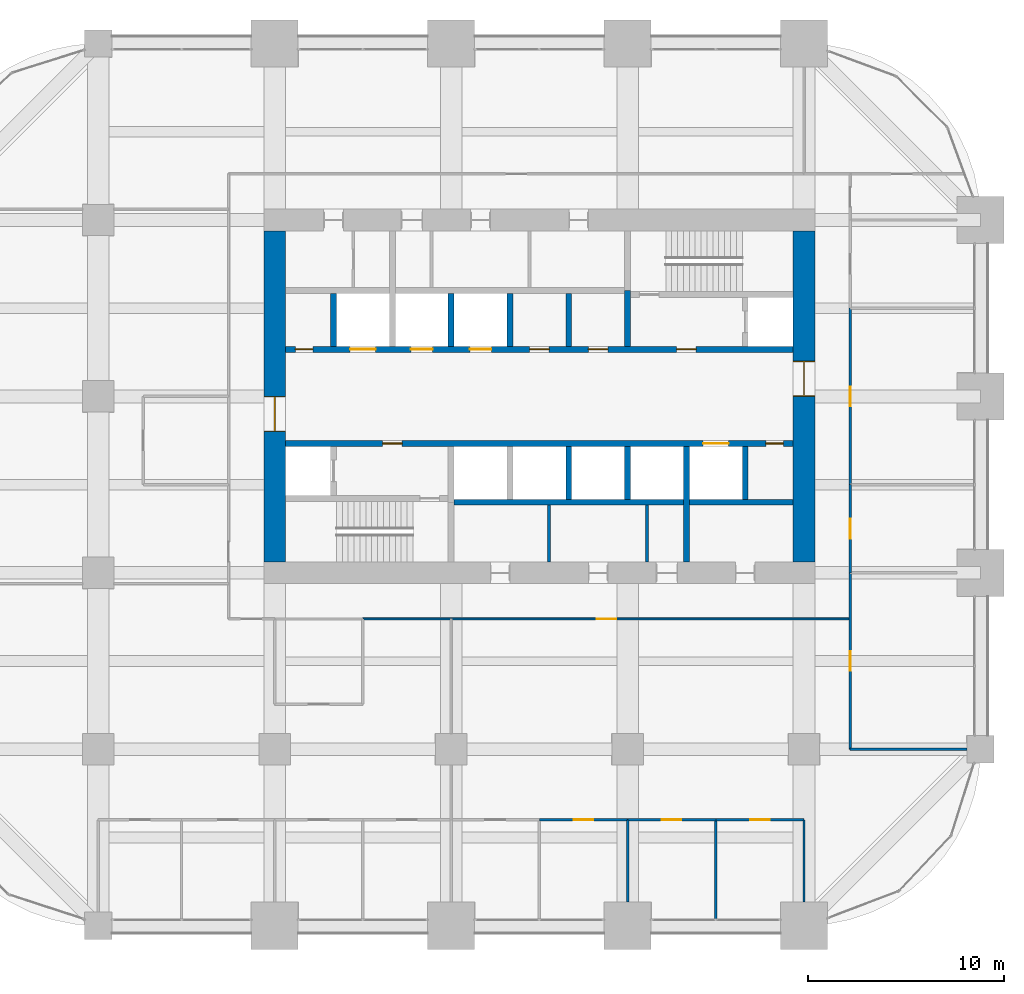
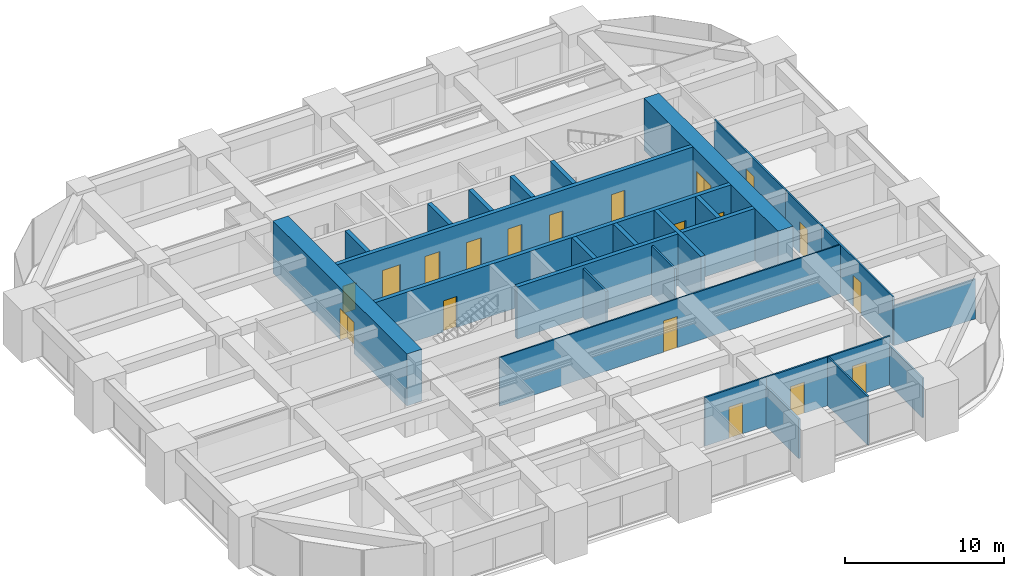
# One storey, part 30 of 32: 27 walls, 19 doors, 19 openings.
"""IFC4 building model written with IfcOpenShell, lengths in metres."""

from ifc_helpers import new_model, si_unit, direction, frame, frame_2d, origin, place, context, subcontext, project, spatial, rectangle, extrude, material, layer, layer_set, type_object, element, fill, save


model = new_model("IFC4")

# Units and contexts
model_context = context("Model", 3, precision=1e-05, world=origin(), true_north=direction((0.0, 1.0)))
body_context = subcontext(model_context, "Body", "Model", "MODEL_VIEW")
ifc_project = project(units=[si_unit("LENGTHUNIT", "METRE"), si_unit("AREAUNIT", "SQUARE_METRE"), si_unit("VOLUMEUNIT", "CUBIC_METRE"), si_unit("PLANEANGLEUNIT", "RADIAN"), si_unit("MASSUNIT", "GRAM", prefix="KILO")], contexts=[model_context])

# Site, building, storey
site_placement = place(None, origin())
site = spatial("IfcSite", under=ifc_project, at=site_placement, CompositionType="ELEMENT")
building_placement = place(site_placement, origin())
building = spatial("IfcBuilding", under=site, at=building_placement, Name="Zorevar Civic Tower", CompositionType="ELEMENT")
storey_placement = place(building_placement, frame((0.0, 0.0, 182.199951171875)))
storey = spatial("IfcBuildingStorey", under=building, at=storey_placement, Name="L44", CompositionType="ELEMENT", Elevation=182.199951171875)

# Wall, opening, door
ifc_material_1 = material(Name="Concrete C50/60", Category="concrete")
ifc_layer_1 = layer(ifc_material_1, 1.10009765625)
ifc_layer_set_1 = layer_set([ifc_layer_1], Name="Core wall 1100")
wall_type_1 = type_object("IfcWallType", Name="Core wall 1100", PredefinedType="SHEAR", material=ifc_layer_set_1)
wall_1_placement = place(storey_placement, frame((18.0, 35.449951171875, 0.0), z_axis=(0.0, 0.0, 1.0), x_axis=(0.0, -1.0, 0.0)))
wall_1 = element("IfcWall", 1, at=wall_1_placement, inside=storey, type_object=wall_type_1, Name="Core wall W L44", PredefinedType="SHEAR", context=body_context, shape_type="SweptSolid", body=[
    extrude(rectangle(XDim=16.89990234375, YDim=1.10009765625, at=frame_2d((8.449951171875, 0.0))), origin(), (0.0, 0.0, 1.0), 4.0),
])
opening_1_placement = place(wall_1_placement, frame((8.449951171875, 0.0, 0.0)))
opening_1 = element("IfcOpeningElement", 2, at=opening_1_placement, cuts=wall_1, Name="Opening L44.01", PredefinedType="OPENING", context=body_context, shape_type="SweptSolid", body=[
    extrude(rectangle(XDim=1.800048828125, YDim=2.39990234375, at=frame_2d((0.89990234375, 1.199951171875))), frame((0.0, 0.56005859375, 0.0), z_axis=(0.0, -1.0, 0.0), x_axis=(1.0, 0.0, 0.0)), (0.0, 0.0, 1.0), 1.1201171875),
])
ifc_material_2 = material(Name="Steel door set", Category="steel")
door_type_1 = type_object("IfcDoorType", Name="Fire door FD2 1800x2400", OperationType="DOUBLE_DOOR_DOUBLE_SWING", PredefinedType="DOOR", material=ifc_material_2)
door_1_placement = place(opening_1_placement, origin())
door_1 = element("IfcDoor", 3, at=door_1_placement, inside=storey, type_object=door_type_1, Name="Door L44 00", OperationType="DOUBLE_DOOR_DOUBLE_SWING", OverallHeight=2.39990234375, OverallWidth=1.800048828125, PredefinedType="DOOR", context=body_context, shape_type="SweptSolid", body=[
    extrude(rectangle(XDim=1.800048828125, YDim=2.39990234375, at=frame_2d((0.89990234375, 1.199951171875))), frame((0.0, 0.030029296875, 0.0), z_axis=(0.0, -1.0, 0.0), x_axis=(1.0, 0.0, 0.0)), (0.0, 0.0, 1.0), 0.06005859375),
    extrude(rectangle(XDim=0.04, YDim=2.39990234375, at=frame_2d((0.02001953125, 1.199951171875))), frame((0.0, 0.5498046875, 0.0), z_axis=(0.0, -1.0, 0.0), x_axis=(1.0, 0.0, 0.0)), (0.0, 0.0, 1.0), 1.099609375),
    extrude(rectangle(XDim=0.04, YDim=2.39990234375, at=frame_2d((1.780029296875, 1.199951171875))), frame((0.0, 0.5498046875, 0.0), z_axis=(0.0, -1.0, 0.0), x_axis=(1.0, 0.0, 0.0)), (0.0, 0.0, 1.0), 1.099609375),
    extrude(rectangle(XDim=1.800048828125, YDim=0.04, at=frame_2d((0.89990234375, 2.3798828125))), frame((0.0, 0.5498046875, 0.0), z_axis=(0.0, -1.0, 0.0), x_axis=(1.0, 0.0, 0.0)), (0.0, 0.0, 1.0), 1.099609375),
])
fill(opening_1, door_1)

wall_2_placement = place(storey_placement, frame((45.0, 18.550048828125, 0.0), z_axis=(0.0, 0.0, 1.0), x_axis=(0.0, 1.0, 0.0)))
wall_2 = element("IfcWall", 4, at=wall_2_placement, inside=storey, type_object=wall_type_1, Name="Core wall E L44", PredefinedType="SHEAR", context=body_context, shape_type="SweptSolid", body=[
    extrude(rectangle(XDim=16.89990234375, YDim=1.10009765625, at=frame_2d((8.449951171875, 0.0))), origin(), (0.0, 0.0, 1.0), 4.0),
])
opening_2_placement = place(wall_2_placement, frame((8.449951171875, 0.0, 0.0)))
opening_2 = element("IfcOpeningElement", 5, at=opening_2_placement, cuts=wall_2, Name="Opening L44.02", PredefinedType="OPENING", context=body_context, shape_type="SweptSolid", body=[
    extrude(rectangle(XDim=1.800048828125, YDim=2.39990234375, at=frame_2d((0.89990234375, 1.199951171875))), frame((0.0, 0.56005859375, 0.0), z_axis=(0.0, -1.0, 0.0), x_axis=(1.0, 0.0, 0.0)), (0.0, 0.0, 1.0), 1.1201171875),
])
door_2_placement = place(opening_2_placement, origin())
door_2 = element("IfcDoor", 6, at=door_2_placement, inside=storey, type_object=door_type_1, Name="Door L44 01", OperationType="DOUBLE_DOOR_DOUBLE_SWING", OverallHeight=2.39990234375, OverallWidth=1.800048828125, PredefinedType="DOOR", context=body_context, shape_type="SweptSolid", body=[
    extrude(rectangle(XDim=1.800048828125, YDim=2.39990234375, at=frame_2d((0.89990234375, 1.199951171875))), frame((0.0, 0.030029296875, 0.0), z_axis=(0.0, -1.0, 0.0), x_axis=(1.0, 0.0, 0.0)), (0.0, 0.0, 1.0), 0.06005859375),
    extrude(rectangle(XDim=0.04, YDim=2.39990234375, at=frame_2d((0.02001953125, 1.199951171875))), frame((0.0, 0.5498046875, 0.0), z_axis=(0.0, -1.0, 0.0), x_axis=(1.0, 0.0, 0.0)), (0.0, 0.0, 1.0), 1.099609375),
    extrude(rectangle(XDim=0.04, YDim=2.39990234375, at=frame_2d((1.780029296875, 1.199951171875))), frame((0.0, 0.5498046875, 0.0), z_axis=(0.0, -1.0, 0.0), x_axis=(1.0, 0.0, 0.0)), (0.0, 0.0, 1.0), 1.099609375),
    extrude(rectangle(XDim=1.800048828125, YDim=0.04, at=frame_2d((0.89990234375, 2.3798828125))), frame((0.0, 0.5498046875, 0.0), z_axis=(0.0, -1.0, 0.0), x_axis=(1.0, 0.0, 0.0)), (0.0, 0.0, 1.0), 1.099609375),
])
fill(opening_2, door_2)

ifc_material_3 = material(Name="Laminated glass in black aluminium frame", Category="aluminium")
ifc_layer_2 = layer(ifc_material_3, 0.10009765625)
ifc_layer_set_2 = layer_set([ifc_layer_2], Name="Glazed partition 100")
wall_type_2 = type_object("IfcWallType", Name="Glazed partition 100", PredefinedType="PARTITIONING", material=ifc_layer_set_2)
wall_3_placement = place(storey_placement, frame((22.5, 15.64990234375, 0.0), z_axis=(0.0, 0.0, 1.0), x_axis=(1.0, 0.0, 0.0)))
wall_3 = element("IfcWall", 7, at=wall_3_placement, inside=storey, type_object=wall_type_2, Name="Glazed partition 100 L44", PredefinedType="PARTITIONING", context=body_context, shape_type="SweptSolid", body=[
    extrude(rectangle(XDim=24.85009765625, YDim=0.10009765625, at=frame_2d((12.425048828125, 0.0))), origin(), (0.0, 0.0, 1.0), 3.75),
])
opening_3_placement = place(wall_3_placement, frame((11.925048828125, 0.0, 0.0)))
opening_3 = element("IfcOpeningElement", 8, at=opening_3_placement, cuts=wall_3, Name="Opening L44.27", PredefinedType="OPENING", context=body_context, shape_type="SweptSolid", body=[
    extrude(rectangle(XDim=1.0, YDim=2.39990234375, at=frame_2d((0.5, 1.199951171875))), frame((0.0, 0.06005859375, 0.0), z_axis=(0.0, -1.0, 0.0), x_axis=(1.0, 0.0, 0.0)), (0.0, 0.0, 1.0), 0.1201171875),
])
ifc_material_4 = material(Name="Timber door set", Category="wood")
door_type_2 = type_object("IfcDoorType", Name="Glazed door GD1 1000x2400", OperationType="SINGLE_SWING_LEFT", PredefinedType="DOOR", material=ifc_material_4)
door_3_placement = place(opening_3_placement, origin())
door_3 = element("IfcDoor", 9, at=door_3_placement, inside=storey, type_object=door_type_2, Name="Door L44 D1", OperationType="SINGLE_SWING_LEFT", OverallHeight=2.39990234375, OverallWidth=1.0, PredefinedType="DOOR", context=body_context, shape_type="SweptSolid", body=[
    extrude(rectangle(XDim=1.0, YDim=2.39990234375, at=frame_2d((0.5, 1.199951171875))), frame((0.0, 0.02001953125, 0.0), z_axis=(0.0, -1.0, 0.0), x_axis=(1.0, 0.0, 0.0)), (0.0, 0.0, 1.0), 0.0400390625),
])
fill(opening_3, door_3)

# Wall, openings, doors
ifc_material_5 = material(Name="Concrete C40/50", Category="concrete")
ifc_layer_3 = layer(ifc_material_5, 0.300048828125)
ifc_layer_set_3 = layer_set([ifc_layer_3], Name="Inner core wall 300")
wall_type_3 = type_object("IfcWallType", Name="Inner core wall 300", PredefinedType="SHEAR", material=ifc_layer_set_3)
wall_4_placement = place(storey_placement, frame((18.550048828125, 24.60009765625, 0.0), z_axis=(0.0, 0.0, 1.0), x_axis=(1.0, 0.0, 0.0)))
wall_4 = element("IfcWall", 10, at=wall_4_placement, inside=storey, type_object=wall_type_3, Name="Inner core wall S03 L44", PredefinedType="SHEAR", context=body_context, shape_type="SweptSolid", body=[
    extrude(rectangle(XDim=25.89990234375, YDim=0.300048828125, at=frame_2d((12.949951171875, 0.0))), origin(), (0.0, 0.0, 1.0), 4.0),
])
opening_4_placement = place(wall_4_placement, frame((4.949951171875, 0.0, 0.0)))
opening_4 = element("IfcOpeningElement", 11, at=opening_4_placement, cuts=wall_4, Name="Opening L44.13", PredefinedType="OPENING", context=body_context, shape_type="SweptSolid", body=[
    extrude(rectangle(XDim=1.0, YDim=2.39990234375, at=frame_2d((0.5, 1.199951171875))), frame((0.0, 0.159912109375, 0.0), z_axis=(0.0, -1.0, 0.0), x_axis=(1.0, 0.0, 0.0)), (0.0, 0.0, 1.0), 0.320068359375),
])
opening_5_placement = place(wall_4_placement, frame((24.5, 0.0, 0.0)))
opening_5 = element("IfcOpeningElement", 12, at=opening_5_placement, cuts=wall_4, Name="Opening L44.15", PredefinedType="OPENING", context=body_context, shape_type="SweptSolid", body=[
    extrude(rectangle(XDim=0.89990234375, YDim=2.10009765625, at=frame_2d((0.449951171875, 1.050048828125))), frame((0.0, 0.159912109375, 0.0), z_axis=(0.0, -1.0, 0.0), x_axis=(1.0, 0.0, 0.0)), (0.0, 0.0, 1.0), 0.320068359375),
])
opening_6_placement = place(wall_4_placement, frame((21.300048828125, 0.0, 0.0)))
opening_6 = element("IfcOpeningElement", 13, at=opening_6_placement, cuts=wall_4, Name="Opening L44.SL1", PredefinedType="OPENING", context=body_context, shape_type="SweptSolid", body=[
    extrude(rectangle(XDim=1.300048828125, YDim=2.39990234375, at=frame_2d((0.64990234375, 1.199951171875))), frame((0.0, 0.159912109375, 0.0), z_axis=(0.0, -1.0, 0.0), x_axis=(1.0, 0.0, 0.0)), (0.0, 0.0, 1.0), 0.320068359375),
])
ifc_material_6 = material(Name="Steel door set", Category="steel")
door_type_3 = type_object("IfcDoorType", Name="Fire door FD1 1000x2400", OperationType="SINGLE_SWING_LEFT", PredefinedType="DOOR", material=ifc_material_6)
door_4_placement = place(opening_4_placement, origin())
door_4 = element("IfcDoor", 14, at=door_4_placement, inside=storey, type_object=door_type_3, Name="Door L44 12", OperationType="SINGLE_SWING_RIGHT", OverallHeight=2.39990234375, OverallWidth=1.0, PredefinedType="DOOR", context=body_context, shape_type="SweptSolid", body=[
    extrude(rectangle(XDim=1.0, YDim=2.39990234375, at=frame_2d((0.5, 1.199951171875))), frame((0.0, 0.030029296875, 0.0), z_axis=(0.0, -1.0, 0.0), x_axis=(1.0, 0.0, 0.0)), (0.0, 0.0, 1.0), 0.06005859375),
])
fill(opening_4, door_4)
ifc_material_7 = material(Name="Steel door set", Category="steel")
door_type_4 = type_object("IfcDoorType", Name="Landing door LD2 1300x2400", OperationType="DOUBLE_DOOR_SLIDING", PredefinedType="DOOR", material=ifc_material_7)
door_5_placement = place(opening_6_placement, origin())
door_5 = element("IfcDoor", 15, at=door_5_placement, inside=storey, type_object=door_type_4, Name="Landing door SL1 L44", OperationType="DOUBLE_DOOR_SLIDING", OverallHeight=2.39990234375, OverallWidth=1.300048828125, PredefinedType="DOOR", context=body_context, shape_type="SweptSolid", body=[
    extrude(rectangle(XDim=1.300048828125, YDim=2.39990234375, at=frame_2d((0.64990234375, 1.199951171875))), frame((0.0, 0.02001953125, 0.0), z_axis=(0.0, -1.0, 0.0), x_axis=(1.0, 0.0, 0.0)), (0.0, 0.0, 1.0), 0.0400390625),
])
fill(opening_6, door_5)
ifc_material_8 = material(Name="Steel door set", Category="steel")
door_type_5 = type_object("IfcDoorType", Name="Riser door RD1 900x2100", OperationType="SINGLE_SWING_LEFT", PredefinedType="DOOR", material=ifc_material_8)
door_6_placement = place(opening_5_placement, origin())
door_6 = element("IfcDoor", 16, at=door_6_placement, inside=storey, type_object=door_type_5, Name="Door L44 14", OperationType="SINGLE_SWING_RIGHT", OverallHeight=2.10009765625, OverallWidth=0.89990234375, PredefinedType="DOOR", context=body_context, shape_type="SweptSolid", body=[
    extrude(rectangle(XDim=0.89990234375, YDim=2.10009765625, at=frame_2d((0.449951171875, 1.050048828125))), frame((0.0, 0.030029296875, 0.0), z_axis=(0.0, -1.0, 0.0), x_axis=(1.0, 0.0, 0.0)), (0.0, 0.0, 1.0), 0.06005859375),
])
fill(opening_5, door_6)

wall_5_placement = place(storey_placement, frame((18.550048828125, 29.39990234375, 0.0), z_axis=(0.0, 0.0, 1.0), x_axis=(1.0, 0.0, 0.0)))
wall_5 = element("IfcWall", 17, at=wall_5_placement, inside=storey, type_object=wall_type_3, Name="Inner core wall N03 L44", PredefinedType="SHEAR", context=body_context, shape_type="SweptSolid", body=[
    extrude(rectangle(XDim=25.89990234375, YDim=0.300048828125, at=frame_2d((12.949951171875, 0.0))), origin(), (0.0, 0.0, 1.0), 4.0),
])
opening_7_placement = place(wall_5_placement, frame((19.949951171875, 0.0, 0.0)))
opening_7 = element("IfcOpeningElement", 18, at=opening_7_placement, cuts=wall_5, Name="Opening L44.14", PredefinedType="OPENING", context=body_context, shape_type="SweptSolid", body=[
    extrude(rectangle(XDim=1.0, YDim=2.39990234375, at=frame_2d((0.5, 1.199951171875))), frame((0.0, 0.159912109375, 0.0), z_axis=(0.0, -1.0, 0.0), x_axis=(1.0, 0.0, 0.0)), (0.0, 0.0, 1.0), 0.320068359375),
])
opening_8_placement = place(wall_5_placement, frame((0.5, 0.0, 0.0)))
opening_8 = element("IfcOpeningElement", 19, at=opening_8_placement, cuts=wall_5, Name="Opening L44.16", PredefinedType="OPENING", context=body_context, shape_type="SweptSolid", body=[
    extrude(rectangle(XDim=0.89990234375, YDim=2.10009765625, at=frame_2d((0.449951171875, 1.050048828125))), frame((0.0, 0.159912109375, 0.0), z_axis=(0.0, -1.0, 0.0), x_axis=(1.0, 0.0, 0.0)), (0.0, 0.0, 1.0), 0.320068359375),
])
opening_9_placement = place(wall_5_placement, frame((15.449951171875, 0.0, 0.0)))
opening_9 = element("IfcOpeningElement", 20, at=opening_9_placement, cuts=wall_5, Name="Opening L44.38", PredefinedType="OPENING", context=body_context, shape_type="SweptSolid", body=[
    extrude(rectangle(XDim=1.0, YDim=2.39990234375, at=frame_2d((0.5, 1.199951171875))), frame((0.0, 0.159912109375, 0.0), z_axis=(0.0, -1.0, 0.0), x_axis=(1.0, 0.0, 0.0)), (0.0, 0.0, 1.0), 0.320068359375),
])
opening_10_placement = place(wall_5_placement, frame((12.449951171875, 0.0, 0.0)))
opening_10 = element("IfcOpeningElement", 21, at=opening_10_placement, cuts=wall_5, Name="Opening L44.39", PredefinedType="OPENING", context=body_context, shape_type="SweptSolid", body=[
    extrude(rectangle(XDim=1.0, YDim=2.39990234375, at=frame_2d((0.5, 1.199951171875))), frame((0.0, 0.159912109375, 0.0), z_axis=(0.0, -1.0, 0.0), x_axis=(1.0, 0.0, 0.0)), (0.0, 0.0, 1.0), 0.320068359375),
])
opening_11_placement = place(wall_5_placement, frame((9.39990234375, 0.0, 0.0)))
opening_11 = element("IfcOpeningElement", 22, at=opening_11_placement, cuts=wall_5, Name="Opening L44.LH1", PredefinedType="OPENING", context=body_context, shape_type="SweptSolid", body=[
    extrude(rectangle(XDim=1.10009765625, YDim=2.39990234375, at=frame_2d((0.550048828125, 1.199951171875))), frame((0.0, 0.159912109375, 0.0), z_axis=(0.0, -1.0, 0.0), x_axis=(1.0, 0.0, 0.0)), (0.0, 0.0, 1.0), 0.320068359375),
])
opening_12_placement = place(wall_5_placement, frame((6.39990234375, 0.0, 0.0)))
opening_12 = element("IfcOpeningElement", 23, at=opening_12_placement, cuts=wall_5, Name="Opening L44.LH2", PredefinedType="OPENING", context=body_context, shape_type="SweptSolid", body=[
    extrude(rectangle(XDim=1.10009765625, YDim=2.39990234375, at=frame_2d((0.550048828125, 1.199951171875))), frame((0.0, 0.159912109375, 0.0), z_axis=(0.0, -1.0, 0.0), x_axis=(1.0, 0.0, 0.0)), (0.0, 0.0, 1.0), 0.320068359375),
])
opening_13_placement = place(wall_5_placement, frame((3.300048828125, 0.0, 0.0)))
opening_13 = element("IfcOpeningElement", 24, at=opening_13_placement, cuts=wall_5, Name="Opening L44.SL2", PredefinedType="OPENING", context=body_context, shape_type="SweptSolid", body=[
    extrude(rectangle(XDim=1.300048828125, YDim=2.39990234375, at=frame_2d((0.64990234375, 1.199951171875))), frame((0.0, 0.159912109375, 0.0), z_axis=(0.0, -1.0, 0.0), x_axis=(1.0, 0.0, 0.0)), (0.0, 0.0, 1.0), 0.320068359375),
])
door_7_placement = place(opening_7_placement, origin())
door_7 = element("IfcDoor", 25, at=door_7_placement, inside=storey, type_object=door_type_3, Name="Door L44 13", OperationType="SINGLE_SWING_RIGHT", OverallHeight=2.39990234375, OverallWidth=1.0, PredefinedType="DOOR", context=body_context, shape_type="SweptSolid", body=[
    extrude(rectangle(XDim=1.0, YDim=2.39990234375, at=frame_2d((0.5, 1.199951171875))), frame((0.0, 0.030029296875, 0.0), z_axis=(0.0, -1.0, 0.0), x_axis=(1.0, 0.0, 0.0)), (0.0, 0.0, 1.0), 0.06005859375),
])
fill(opening_7, door_7)
door_8_placement = place(opening_9_placement, origin())
door_8 = element("IfcDoor", 26, at=door_8_placement, inside=storey, type_object=door_type_3, Name="Door L44 LM1 shaft room", OperationType="SINGLE_SWING_LEFT", OverallHeight=2.39990234375, OverallWidth=1.0, PredefinedType="DOOR", context=body_context, shape_type="SweptSolid", body=[
    extrude(rectangle(XDim=1.0, YDim=2.39990234375, at=frame_2d((0.5, 1.199951171875))), frame((0.0, 0.030029296875, 0.0), z_axis=(0.0, -1.0, 0.0), x_axis=(1.0, 0.0, 0.0)), (0.0, 0.0, 1.0), 0.06005859375),
])
fill(opening_9, door_8)
door_9_placement = place(opening_10_placement, origin())
door_9 = element("IfcDoor", 27, at=door_9_placement, inside=storey, type_object=door_type_3, Name="Door L44 LM2 shaft room", OperationType="SINGLE_SWING_LEFT", OverallHeight=2.39990234375, OverallWidth=1.0, PredefinedType="DOOR", context=body_context, shape_type="SweptSolid", body=[
    extrude(rectangle(XDim=1.0, YDim=2.39990234375, at=frame_2d((0.5, 1.199951171875))), frame((0.0, 0.030029296875, 0.0), z_axis=(0.0, -1.0, 0.0), x_axis=(1.0, 0.0, 0.0)), (0.0, 0.0, 1.0), 0.06005859375),
])
fill(opening_10, door_9)
ifc_material_9 = material(Name="Steel door set", Category="steel")
door_type_6 = type_object("IfcDoorType", Name="Landing door LD1 1100x2400", OperationType="DOUBLE_DOOR_SLIDING", PredefinedType="DOOR", material=ifc_material_9)
door_10_placement = place(opening_11_placement, origin())
door_10 = element("IfcDoor", 28, at=door_10_placement, inside=storey, type_object=door_type_6, Name="Landing door LH1 L44", OperationType="DOUBLE_DOOR_SLIDING", OverallHeight=2.39990234375, OverallWidth=1.10009765625, PredefinedType="DOOR", context=body_context, shape_type="SweptSolid", body=[
    extrude(rectangle(XDim=1.10009765625, YDim=2.39990234375, at=frame_2d((0.550048828125, 1.199951171875))), frame((0.0, 0.02001953125, 0.0), z_axis=(0.0, -1.0, 0.0), x_axis=(1.0, 0.0, 0.0)), (0.0, 0.0, 1.0), 0.0400390625),
])
fill(opening_11, door_10)
door_11_placement = place(opening_12_placement, origin())
door_11 = element("IfcDoor", 29, at=door_11_placement, inside=storey, type_object=door_type_6, Name="Landing door LH2 L44", OperationType="DOUBLE_DOOR_SLIDING", OverallHeight=2.39990234375, OverallWidth=1.10009765625, PredefinedType="DOOR", context=body_context, shape_type="SweptSolid", body=[
    extrude(rectangle(XDim=1.10009765625, YDim=2.39990234375, at=frame_2d((0.550048828125, 1.199951171875))), frame((0.0, 0.02001953125, 0.0), z_axis=(0.0, -1.0, 0.0), x_axis=(1.0, 0.0, 0.0)), (0.0, 0.0, 1.0), 0.0400390625),
])
fill(opening_12, door_11)
door_12_placement = place(opening_13_placement, origin())
door_12 = element("IfcDoor", 30, at=door_12_placement, inside=storey, type_object=door_type_4, Name="Landing door SL2 L44", OperationType="DOUBLE_DOOR_SLIDING", OverallHeight=2.39990234375, OverallWidth=1.300048828125, PredefinedType="DOOR", context=body_context, shape_type="SweptSolid", body=[
    extrude(rectangle(XDim=1.300048828125, YDim=2.39990234375, at=frame_2d((0.64990234375, 1.199951171875))), frame((0.0, 0.02001953125, 0.0), z_axis=(0.0, -1.0, 0.0), x_axis=(1.0, 0.0, 0.0)), (0.0, 0.0, 1.0), 0.0400390625),
])
fill(opening_13, door_12)
door_13_placement = place(opening_8_placement, origin())
door_13 = element("IfcDoor", 31, at=door_13_placement, inside=storey, type_object=door_type_5, Name="Door L44 15", OperationType="SINGLE_SWING_RIGHT", OverallHeight=2.10009765625, OverallWidth=0.89990234375, PredefinedType="DOOR", context=body_context, shape_type="SweptSolid", body=[
    extrude(rectangle(XDim=0.89990234375, YDim=2.10009765625, at=frame_2d((0.449951171875, 1.050048828125))), frame((0.0, 0.030029296875, 0.0), z_axis=(0.0, -1.0, 0.0), x_axis=(1.0, 0.0, 0.0)), (0.0, 0.0, 1.0), 0.06005859375),
])
fill(opening_8, door_13)

# Walls
wall_6_placement = place(storey_placement, frame((27.14990234375, 21.60009765625, 0.0), z_axis=(0.0, 0.0, 1.0), x_axis=(1.0, 0.0, 0.0)))
element("IfcWall", 32, at=wall_6_placement, inside=storey, type_object=wall_type_3, Name="Inner core wall S04 L44", PredefinedType="SHEAR", context=body_context, shape_type="SweptSolid", body=[
    extrude(rectangle(XDim=17.300048828125, YDim=0.300048828125, at=frame_2d((8.64990234375, 0.0))), origin(), (0.0, 0.0, 1.0), 4.0),
])
for number, where, z_axis, x_axis, name in (
    (33, (33.0, 29.550048828125, 0.0), (0.0, 0.0, 1.0), (0.0, 1.0, 0.0), "Inner core wall N05 L44"),
    (34, (33.0, 21.75, 0.0), (0.0, 0.0, 1.0), (0.0, 1.0, 0.0), "Inner core wall S06 L44"),
    (35, (30.0, 29.550048828125, 0.0), (0.0, 0.0, 1.0), (0.0, 1.0, 0.0), "Inner core wall N06 L44"),
    (36, (36.0, 21.75, 0.0), (0.0, 0.0, 1.0), (0.0, 1.0, 0.0), "Inner core wall S07 L44"),
    (37, (27.0, 29.550048828125, 0.0), (0.0, 0.0, 1.0), (0.0, 1.0, 0.0), "Inner core wall N07 L44"),
):
    element("IfcWall", number, at=place(storey_placement, frame(where, z_axis=z_axis, x_axis=x_axis)), inside=storey, type_object=wall_type_3, Name=name, PredefinedType="SHEAR", context=body_context, shape_type="SweptSolid", body=[
        extrude(rectangle(XDim=2.699951171875, YDim=0.300048828125, at=frame_2d((1.35009765625, 0.0))), origin(), (0.0, 0.0, 1.0), 4.0),
    ])
wall_7_placement = place(storey_placement, frame((39.0, 18.550048828125, 0.0), z_axis=(0.0, 0.0, 1.0), x_axis=(0.0, 1.0, 0.0)))
element("IfcWall", 38, at=wall_7_placement, inside=storey, type_object=wall_type_3, Name="Inner core wall S08 L44", PredefinedType="SHEAR", context=body_context, shape_type="SweptSolid", body=[
    extrude(rectangle(XDim=5.89990234375, YDim=0.300048828125, at=frame_2d((2.949951171875, 0.0))), origin(), (0.0, 0.0, 1.0), 4.0),
])
for number, where, z_axis, x_axis, name in (
    (39, (42.0, 21.75, 0.0), (0.0, 0.0, 1.0), (0.0, 1.0, 0.0), "Inner core wall S09 L44"),
    (40, (21.0, 29.550048828125, 0.0), (0.0, 0.0, 1.0), (0.0, 1.0, 0.0), "Inner core wall N09 L44"),
):
    element("IfcWall", number, at=place(storey_placement, frame(where, z_axis=z_axis, x_axis=x_axis)), inside=storey, type_object=wall_type_3, Name=name, PredefinedType="SHEAR", context=body_context, shape_type="SweptSolid", body=[
        extrude(rectangle(XDim=2.699951171875, YDim=0.300048828125, at=frame_2d((1.35009765625, 0.0))), origin(), (0.0, 0.0, 1.0), 4.0),
    ])
wall_8_placement = place(storey_placement, frame((36.0, 29.550048828125, 0.0), z_axis=(0.0, 0.0, 1.0), x_axis=(0.0, 1.0, 0.0)))
element("IfcWall", 41, at=wall_8_placement, inside=storey, type_object=wall_type_3, Name="Inner core wall N10 L44", PredefinedType="SHEAR", context=body_context, shape_type="SweptSolid", body=[
    extrude(rectangle(XDim=2.849853515625, YDim=0.300048828125, at=frame_2d((1.4248046875, 0.0))), origin(), (0.0, 0.0, 1.0), 4.0),
])

# Wall, opening, door
ifc_material_10 = material(Name="Gypsum board on steel studs", Category="steel")
ifc_layer_4 = layer(ifc_material_10, 0.1201171875)
ifc_layer_set_4 = layer_set([ifc_layer_4], Name="Partition 120")
wall_type_4 = type_object("IfcWallType", Name="Partition 120", PredefinedType="PARTITIONING", material=ifc_layer_set_4)
wall_9_placement = place(storey_placement, frame((31.5, 5.39990234375, 0.0), z_axis=(0.0, 0.0, 1.0), x_axis=(1.0, 0.0, 0.0)))
wall_9 = element("IfcWall", 42, at=wall_9_placement, inside=storey, type_object=wall_type_4, Name="Partition 120 L44", PredefinedType="PARTITIONING", context=body_context, shape_type="SweptSolid", body=[
    extrude(rectangle(XDim=4.5, YDim=0.1201171875, at=frame_2d((2.25, 0.0))), origin(), (0.0, 0.0, 1.0), 3.75),
])
opening_14_placement = place(wall_9_placement, frame((1.75, 0.0, 0.0)))
opening_14 = element("IfcOpeningElement", 43, at=opening_14_placement, cuts=wall_9, Name="Opening L44.22", PredefinedType="OPENING", context=body_context, shape_type="SweptSolid", body=[
    extrude(rectangle(XDim=1.0, YDim=2.39990234375, at=frame_2d((0.5, 1.199951171875))), frame((0.0, 0.070068359375, 0.0), z_axis=(0.0, -1.0, 0.0), x_axis=(1.0, 0.0, 0.0)), (0.0, 0.0, 1.0), 0.14013671875),
])
ifc_material_11 = material(Name="Timber door set", Category="wood")
door_type_7 = type_object("IfcDoorType", Name="Door D1 1000x2400", OperationType="SINGLE_SWING_LEFT", PredefinedType="DOOR", material=ifc_material_11)
door_14_placement = place(opening_14_placement, origin())
door_14 = element("IfcDoor", 44, at=door_14_placement, inside=storey, type_object=door_type_7, Name="Door L44 D1", OperationType="SINGLE_SWING_RIGHT", OverallHeight=2.39990234375, OverallWidth=1.0, PredefinedType="DOOR", context=body_context, shape_type="SweptSolid", body=[
    extrude(rectangle(XDim=1.0, YDim=2.39990234375, at=frame_2d((0.5, 1.199951171875))), frame((0.0, 0.02490234375, 0.0), z_axis=(0.0, -1.0, 0.0), x_axis=(1.0, 0.0, 0.0)), (0.0, 0.0, 1.0), 0.050048828125),
])
fill(opening_14, door_14)

wall_10_placement = place(storey_placement, frame((36.0, 5.39990234375, 0.0), z_axis=(0.0, 0.0, 1.0), x_axis=(1.0, 0.0, 0.0)))
wall_10 = element("IfcWall", 45, at=wall_10_placement, inside=storey, type_object=wall_type_4, Name="Partition 120 L44", PredefinedType="PARTITIONING", context=body_context, shape_type="SweptSolid", body=[
    extrude(rectangle(XDim=4.5, YDim=0.1201171875, at=frame_2d((2.25, 0.0))), origin(), (0.0, 0.0, 1.0), 3.75),
])
opening_15_placement = place(wall_10_placement, frame((1.75, 0.0, 0.0)))
opening_15 = element("IfcOpeningElement", 46, at=opening_15_placement, cuts=wall_10, Name="Opening L44.23", PredefinedType="OPENING", context=body_context, shape_type="SweptSolid", body=[
    extrude(rectangle(XDim=1.0, YDim=2.39990234375, at=frame_2d((0.5, 1.199951171875))), frame((0.0, 0.070068359375, 0.0), z_axis=(0.0, -1.0, 0.0), x_axis=(1.0, 0.0, 0.0)), (0.0, 0.0, 1.0), 0.14013671875),
])
door_15_placement = place(opening_15_placement, origin())
door_15 = element("IfcDoor", 47, at=door_15_placement, inside=storey, type_object=door_type_7, Name="Door L44 D1", OperationType="SINGLE_SWING_RIGHT", OverallHeight=2.39990234375, OverallWidth=1.0, PredefinedType="DOOR", context=body_context, shape_type="SweptSolid", body=[
    extrude(rectangle(XDim=1.0, YDim=2.39990234375, at=frame_2d((0.5, 1.199951171875))), frame((0.0, 0.02490234375, 0.0), z_axis=(0.0, -1.0, 0.0), x_axis=(1.0, 0.0, 0.0)), (0.0, 0.0, 1.0), 0.050048828125),
])
fill(opening_15, door_15)

wall_11_placement = place(storey_placement, frame((40.5, 5.39990234375, 0.0), z_axis=(0.0, 0.0, 1.0), x_axis=(1.0, 0.0, 0.0)))
wall_11 = element("IfcWall", 48, at=wall_11_placement, inside=storey, type_object=wall_type_4, Name="Partition 120 L44", PredefinedType="PARTITIONING", context=body_context, shape_type="SweptSolid", body=[
    extrude(rectangle(XDim=4.5, YDim=0.1201171875, at=frame_2d((2.25, 0.0))), origin(), (0.0, 0.0, 1.0), 3.75),
])
opening_16_placement = place(wall_11_placement, frame((1.75, 0.0, 0.0)))
opening_16 = element("IfcOpeningElement", 49, at=opening_16_placement, cuts=wall_11, Name="Opening L44.24", PredefinedType="OPENING", context=body_context, shape_type="SweptSolid", body=[
    extrude(rectangle(XDim=1.0, YDim=2.39990234375, at=frame_2d((0.5, 1.199951171875))), frame((0.0, 0.070068359375, 0.0), z_axis=(0.0, -1.0, 0.0), x_axis=(1.0, 0.0, 0.0)), (0.0, 0.0, 1.0), 0.14013671875),
])
door_16_placement = place(opening_16_placement, origin())
door_16 = element("IfcDoor", 50, at=door_16_placement, inside=storey, type_object=door_type_7, Name="Door L44 D1", OperationType="SINGLE_SWING_LEFT", OverallHeight=2.39990234375, OverallWidth=1.0, PredefinedType="DOOR", context=body_context, shape_type="SweptSolid", body=[
    extrude(rectangle(XDim=1.0, YDim=2.39990234375, at=frame_2d((0.5, 1.199951171875))), frame((0.0, 0.02490234375, 0.0), z_axis=(0.0, -1.0, 0.0), x_axis=(1.0, 0.0, 0.0)), (0.0, 0.0, 1.0), 0.050048828125),
])
fill(opening_16, door_16)

# Walls
wall_12_placement = place(storey_placement, frame((47.35009765625, 9.0, 0.0), z_axis=(0.0, 0.0, 1.0), x_axis=(1.0, 0.0, 0.0)))
element("IfcWall", 51, at=wall_12_placement, inside=storey, type_object=wall_type_4, Name="Partition 120 L44", PredefinedType="PARTITIONING", context=body_context, shape_type="SweptSolid", body=[
    extrude(rectangle(XDim=5.949951171875, YDim=0.1201171875, at=frame_2d((2.97509765625, 0.0))), origin(), (0.0, 0.0, 1.0), 3.050048828125),
])
wall_13_placement = place(storey_placement, frame((36.0, 1.199951171875, 0.0), z_axis=(0.0, 0.0, 1.0), x_axis=(0.0, 1.0, 0.0)))
element("IfcWall", 52, at=wall_13_placement, inside=storey, type_object=wall_type_4, Name="Partition 120 L44", PredefinedType="PARTITIONING", context=body_context, shape_type="SweptSolid", body=[
    extrude(rectangle(XDim=4.199951171875, YDim=0.1201171875, at=frame_2d((2.10009765625, 0.0))), origin(), (0.0, 0.0, 1.0), 3.050048828125),
])
wall_14_placement = place(storey_placement, frame((40.5, 0.31005859375, 0.0), z_axis=(0.0, 0.0, 1.0), x_axis=(0.0, 1.0, 0.0)))
element("IfcWall", 53, at=wall_14_placement, inside=storey, type_object=wall_type_4, Name="Partition 120 L44", PredefinedType="PARTITIONING", context=body_context, shape_type="SweptSolid", body=[
    extrude(rectangle(XDim=5.08984375, YDim=0.1201171875, at=frame_2d((2.544921875, 0.0))), origin(), (0.0, 0.0, 1.0), 3.75),
])
wall_15_placement = place(storey_placement, frame((45.0, 1.199951171875, 0.0), z_axis=(0.0, 0.0, 1.0), x_axis=(0.0, 1.0, 0.0)))
element("IfcWall", 54, at=wall_15_placement, inside=storey, type_object=wall_type_4, Name="Partition 120 L44", PredefinedType="PARTITIONING", context=body_context, shape_type="SweptSolid", body=[
    extrude(rectangle(XDim=4.199951171875, YDim=0.1201171875, at=frame_2d((2.10009765625, 0.0))), origin(), (0.0, 0.0, 1.0), 3.050048828125),
])

# Wall, opening, door
wall_16_placement = place(storey_placement, frame((47.35009765625, 9.0, 0.0), z_axis=(0.0, 0.0, 1.0), x_axis=(0.0, 1.0, 0.0)))
wall_16 = element("IfcWall", 55, at=wall_16_placement, inside=storey, type_object=wall_type_4, Name="Partition 120 L44", PredefinedType="PARTITIONING", context=body_context, shape_type="SweptSolid", body=[
    extrude(rectangle(XDim=9.0, YDim=0.1201171875, at=frame_2d((4.5, 0.0))), origin(), (0.0, 0.0, 1.0), 3.75),
])
opening_17_placement = place(wall_16_placement, frame((4.0, 0.0, 0.0)))
opening_17 = element("IfcOpeningElement", 56, at=opening_17_placement, cuts=wall_16, Name="Opening L44.32", PredefinedType="OPENING", context=body_context, shape_type="SweptSolid", body=[
    extrude(rectangle(XDim=1.0, YDim=2.39990234375, at=frame_2d((0.5, 1.199951171875))), frame((0.0, 0.070068359375, 0.0), z_axis=(0.0, -1.0, 0.0), x_axis=(1.0, 0.0, 0.0)), (0.0, 0.0, 1.0), 0.14013671875),
])
door_17_placement = place(opening_17_placement, origin())
door_17 = element("IfcDoor", 57, at=door_17_placement, inside=storey, type_object=door_type_7, Name="Door L44 D1", OperationType="SINGLE_SWING_LEFT", OverallHeight=2.39990234375, OverallWidth=1.0, PredefinedType="DOOR", context=body_context, shape_type="SweptSolid", body=[
    extrude(rectangle(XDim=1.0, YDim=2.39990234375, at=frame_2d((0.5, 1.199951171875))), frame((0.0, 0.02490234375, 0.0), z_axis=(0.0, -1.0, 0.0), x_axis=(1.0, 0.0, 0.0)), (0.0, 0.0, 1.0), 0.050048828125),
])
fill(opening_17, door_17)

wall_17_placement = place(storey_placement, frame((47.35009765625, 18.0, 0.0), z_axis=(0.0, 0.0, 1.0), x_axis=(0.0, 1.0, 0.0)))
wall_17 = element("IfcWall", 58, at=wall_17_placement, inside=storey, type_object=wall_type_4, Name="Partition 120 L44", PredefinedType="PARTITIONING", context=body_context, shape_type="SweptSolid", body=[
    extrude(rectangle(XDim=4.5, YDim=0.1201171875, at=frame_2d((2.25, 0.0))), origin(), (0.0, 0.0, 1.0), 3.75),
])
opening_18_placement = place(wall_17_placement, frame((1.75, 0.0, 0.0)))
opening_18 = element("IfcOpeningElement", 59, at=opening_18_placement, cuts=wall_17, Name="Opening L44.33", PredefinedType="OPENING", context=body_context, shape_type="SweptSolid", body=[
    extrude(rectangle(XDim=1.0, YDim=2.39990234375, at=frame_2d((0.5, 1.199951171875))), frame((0.0, 0.070068359375, 0.0), z_axis=(0.0, -1.0, 0.0), x_axis=(1.0, 0.0, 0.0)), (0.0, 0.0, 1.0), 0.14013671875),
])
door_18_placement = place(opening_18_placement, origin())
door_18 = element("IfcDoor", 60, at=door_18_placement, inside=storey, type_object=door_type_7, Name="Door L44 D1", OperationType="SINGLE_SWING_LEFT", OverallHeight=2.39990234375, OverallWidth=1.0, PredefinedType="DOOR", context=body_context, shape_type="SweptSolid", body=[
    extrude(rectangle(XDim=1.0, YDim=2.39990234375, at=frame_2d((0.5, 1.199951171875))), frame((0.0, 0.02490234375, 0.0), z_axis=(0.0, -1.0, 0.0), x_axis=(1.0, 0.0, 0.0)), (0.0, 0.0, 1.0), 0.050048828125),
])
fill(opening_18, door_18)

wall_18_placement = place(storey_placement, frame((47.35009765625, 22.5, 0.0), z_axis=(0.0, 0.0, 1.0), x_axis=(0.0, 1.0, 0.0)))
wall_18 = element("IfcWall", 61, at=wall_18_placement, inside=storey, type_object=wall_type_4, Name="Partition 120 L44", PredefinedType="PARTITIONING", context=body_context, shape_type="SweptSolid", body=[
    extrude(rectangle(XDim=9.0, YDim=0.1201171875, at=frame_2d((4.5, 0.0))), origin(), (0.0, 0.0, 1.0), 3.75),
])
opening_19_placement = place(wall_18_placement, frame((4.0, 0.0, 0.0)))
opening_19 = element("IfcOpeningElement", 62, at=opening_19_placement, cuts=wall_18, Name="Opening L44.34", PredefinedType="OPENING", context=body_context, shape_type="SweptSolid", body=[
    extrude(rectangle(XDim=1.0, YDim=2.39990234375, at=frame_2d((0.5, 1.199951171875))), frame((0.0, 0.070068359375, 0.0), z_axis=(0.0, -1.0, 0.0), x_axis=(1.0, 0.0, 0.0)), (0.0, 0.0, 1.0), 0.14013671875),
])
door_19_placement = place(opening_19_placement, origin())
door_19 = element("IfcDoor", 63, at=door_19_placement, inside=storey, type_object=door_type_7, Name="Door L44 D1", OperationType="SINGLE_SWING_RIGHT", OverallHeight=2.39990234375, OverallWidth=1.0, PredefinedType="DOOR", context=body_context, shape_type="SweptSolid", body=[
    extrude(rectangle(XDim=1.0, YDim=2.39990234375, at=frame_2d((0.5, 1.199951171875))), frame((0.0, 0.02490234375, 0.0), z_axis=(0.0, -1.0, 0.0), x_axis=(1.0, 0.0, 0.0)), (0.0, 0.0, 1.0), 0.050048828125),
])
fill(opening_19, door_19)

# Walls
ifc_material_12 = material(Name="Gypsum board on steel studs, moisture resistant", Category="steel")
ifc_layer_5 = layer(ifc_material_12, 0.14990234375)
ifc_layer_set_5 = layer_set([ifc_layer_5], Name="WC partition 150")
wall_type_5 = type_object("IfcWallType", Name="WC partition 150", PredefinedType="PARTITIONING", material=ifc_layer_set_5)
for number, where, z_axis, x_axis, name in (
    (64, (32.0, 18.550048828125, 0.0), (0.0, 0.0, 1.0), (0.0, 1.0, 0.0), "WC partition L44"),
    (65, (37.0, 18.550048828125, 0.0), (0.0, 0.0, 1.0), (0.0, 1.0, 0.0), "WC partition L44"),
):
    element("IfcWall", number, at=place(storey_placement, frame(where, z_axis=z_axis, x_axis=x_axis)), inside=storey, type_object=wall_type_5, Name=name, PredefinedType="PARTITIONING", context=body_context, shape_type="SweptSolid", body=[
        extrude(rectangle(XDim=2.89990234375, YDim=0.14990234375, at=frame_2d((1.449951171875, 0.0))), origin(), (0.0, 0.0, 1.0), 3.75),
    ])

save(model, "model.ifc")
